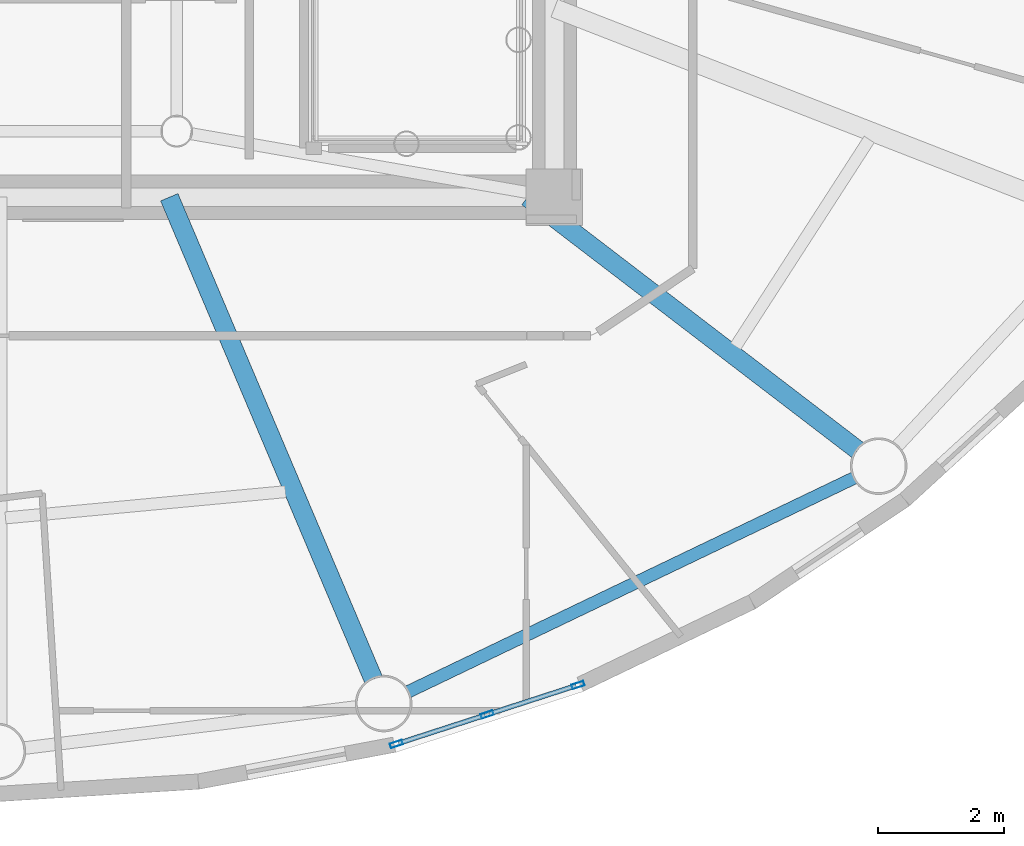
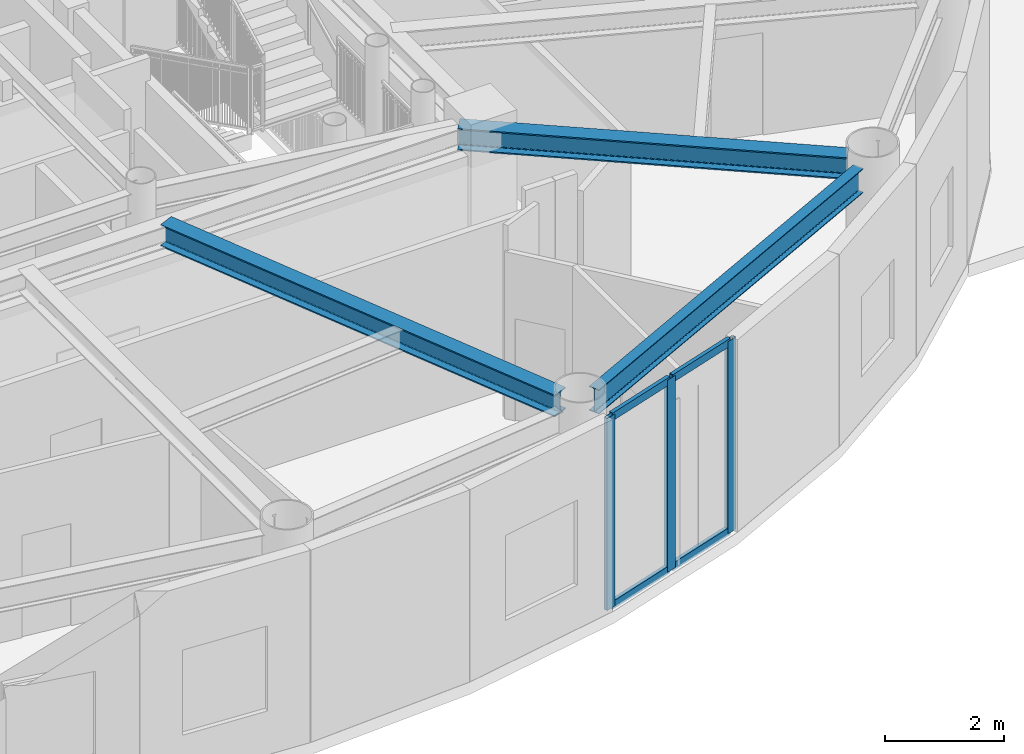
# One storey, part 6 of 24: 7 members, 3 beams, 1 element without a shape of its own.
"""IFC4 building model written with IfcOpenShell, lengths in metres."""

from ifc_helpers import new_model, si_unit, direction, frame, origin, origin_2d, place, context, subcontext, project, spatial, hollow_rectangle, i_section, extrude, source, transform, mapped, material, layer, layer_set, material_profile, profile_set, type_object, element, aggregate, save


model = new_model("IFC4")

# Units and contexts
model_context = context("Model", 3, precision=1e-05, world=origin(), true_north=direction((0.0, 1.0)))
body_context = subcontext(model_context, "Body", "Model", "MODEL_VIEW")
ifc_project = project(units=[si_unit("LENGTHUNIT", "METRE"), si_unit("AREAUNIT", "SQUARE_METRE"), si_unit("VOLUMEUNIT", "CUBIC_METRE"), si_unit("PLANEANGLEUNIT", "RADIAN"), si_unit("MASSUNIT", "GRAM", prefix="KILO")], contexts=[model_context])

# Site, building, storey
site_placement = place(None, origin())
site = spatial("IfcSite", under=ifc_project, at=site_placement, CompositionType="ELEMENT")
building_placement = place(site_placement, origin())
building = spatial("IfcBuilding", under=site, at=building_placement, Name="Linh Dai School and Residence Tower", CompositionType="ELEMENT")
storey_placement = place(building_placement, frame((0.0, 0.0, 355.199951171875)))
storey = spatial("IfcBuildingStorey", under=building, at=storey_placement, Name="L88", CompositionType="ELEMENT", Elevation=355.199951171875)

# Beams
ifc_material_1 = material(Name="Structural Steel S355JR", Category="steel")
ifc_material_profile_1 = material_profile(ifc_material_1, i_section(OverallWidth=0.199951171875, OverallDepth=0.5, WebThickness=0.01025390625, FlangeThickness=0.01611328125, FilletRadius=0.02099609375, at=origin_2d()), Name="IPE 500")
ifc_profile_set_1 = profile_set([ifc_material_profile_1], Name="Structural Steel S355JR")
beam_type_1 = type_object("IfcBeamType", Name="BM-RB50", PredefinedType="BEAM", material=ifc_profile_set_1)
beam_1_placement = place(storey_placement, frame((42.516357421875, 12.687744140625, 3.699951171875), z_axis=(0.901701330417, 0.432359469335, 0.0), x_axis=(-0.432359469335, 0.901701330417, 0.0)))
element("IfcBeam", 1, at=beam_1_placement, inside=storey, type_object=beam_type_1, Name="L88 Perimeter Elliptical Ring Beam 14", PredefinedType="BEAM", context=body_context, shape_type="SweptSolid", body=[
    extrude(i_section(OverallWidth=0.199951171875, OverallDepth=0.5, WebThickness=0.01025390625, FlangeThickness=0.01611328125, FilletRadius=0.02099609375, at=origin_2d()), origin(), (0.0, 0.0, 1.0), 7.88232421875),
])
ifc_material_profile_2 = material_profile(ifc_material_1, i_section(OverallWidth=0.300048828125, OverallDepth=0.449951171875, WebThickness=0.013916015625, FlangeThickness=0.02587890625, FilletRadius=0.027099609375, at=origin_2d()), Name="HEB 450")
ifc_profile_set_2 = profile_set([ifc_material_profile_2], Name="Structural Steel S355JR")
beam_type_2 = type_object("IfcBeamType", Name="BM-RG45", PredefinedType="BEAM", material=ifc_profile_set_2)
beam_2_placement = place(storey_placement, frame((38.731201171875, 20.550048828125, 3.72509765625), z_axis=(0.389954119501, -0.920834287309, 0.0), x_axis=(0.920834287309, 0.389954119501, 0.0)))
element("IfcBeam", 2, at=beam_2_placement, inside=storey, type_object=beam_type_2, Name="L88 Primary Radial Floor Girder 14", PredefinedType="BEAM", context=body_context, shape_type="SweptSolid", body=[
    extrude(i_section(OverallWidth=0.300048828125, OverallDepth=0.449951171875, WebThickness=0.013916015625, FlangeThickness=0.02587890625, FilletRadius=0.027099609375, at=origin_2d()), origin(), (0.0, 0.0, 1.0), 8.3154296875),
])
beam_3_placement = place(storey_placement, frame((44.4228515625, 20.550048828125, 3.72509765625), z_axis=(0.793929753809, -0.608009495006, 0.0), x_axis=(0.608009495006, 0.793929753809, 0.0)))
element("IfcBeam", 3, at=beam_3_placement, inside=storey, type_object=beam_type_2, Name="L88 Primary Radial Floor Girder 15", PredefinedType="BEAM", context=body_context, shape_type="SweptSolid", body=[
    extrude(i_section(OverallWidth=0.300048828125, OverallDepth=0.449951171875, WebThickness=0.013916015625, FlangeThickness=0.02587890625, FilletRadius=0.027099609375, at=origin_2d()), origin(), (0.0, 0.0, 1.0), 6.607666015625),
])

# Curtain wall, members
ifc_material_2 = material(Name="Aluminium Anodised Curtain Wall", Category="aluminium")
ifc_layer = layer(ifc_material_2, 0.199951171875)
ifc_layer_set = layer_set([ifc_layer], Name="Aluminium Anodised Curtain Wall")
curtain_wall_type = type_object("IfcCurtainWallType", Name="CW-SYS-6", PredefinedType="USERDEFINED", material=ifc_layer_set)
curtain_wall_placement = place(storey_placement, origin())
curtain_wall = element("IfcCurtainWall", 4, at=curtain_wall_placement, inside=storey, type_object=curtain_wall_type, Name="L88 CW6 Curtain Wall 33", ObjectType="UNITISED CURTAIN WALL", PredefinedType="USERDEFINED")
ifc_material_3 = material(Name="Aluminium Alloy 6063-T6", Category="aluminium")
ifc_material_profile_3 = material_profile(ifc_material_3, hollow_rectangle(XDim=0.074951171875, YDim=0.159912109375, WallThickness=0.00390625, at=origin_2d()), Name="RHS 160x75x4")
ifc_profile_set_3 = profile_set([ifc_material_profile_3], Name="Aluminium Alloy 6063-T6")
member_type_1 = type_object("IfcMemberType", Name="CW-SYS-6-TRN", PredefinedType="USERDEFINED", material=ifc_profile_set_3)
shared_shape_1 = source(origin(), body_context, "Body", "SweptSolid", [
    extrude(hollow_rectangle(XDim=0.074951171875, YDim=0.159912109375, WallThickness=0.00390625, at=origin_2d()), origin(), (0.0, 0.0, 1.0), 1.441650390625),
])
member_1_placement = place(storey_placement, frame((45.189208984375, 12.787841796875, 0.03759765625), z_axis=(-0.951209386872, -0.308546110536, 0.0), x_axis=(0.308546110536, -0.951209386872, 0.0)))
member_1 = element("IfcMember", 5, at=member_1_placement, type_object=member_type_1, Name="CW6 transom 1.1", ObjectType="TRANSOM", PredefinedType="USERDEFINED", context=body_context, shape_type="MappedRepresentation", body=[
    mapped(shared_shape_1, transform((0.0, 0.0, 0.0), x_axis=(1.0, 0.0, 0.0), y_axis=(0.0, 1.0, 0.0), z_axis=(0.0, 0.0, 1.0), scale=1.0)),
])
member_2_placement = place(storey_placement, frame((45.189208984375, 12.787841796875, 3.91259765625), z_axis=(-0.951209386872, -0.308546110536, 0.0), x_axis=(0.308546110536, -0.951209386872, 0.0)))
member_2 = element("IfcMember", 6, at=member_2_placement, type_object=member_type_1, Name="CW6 transom 1.2", ObjectType="TRANSOM", PredefinedType="USERDEFINED", context=body_context, shape_type="MappedRepresentation", body=[
    mapped(shared_shape_1, transform((0.0, 0.0, 0.0), x_axis=(1.0, 0.0, 0.0), y_axis=(0.0, 1.0, 0.0), z_axis=(0.0, 0.0, 1.0), scale=1.0)),
])
member_3_placement = place(storey_placement, frame((43.74658203125, 12.31982421875, 0.03759765625), z_axis=(-0.951209386872, -0.308546110536, 0.0), x_axis=(0.308546110536, -0.951209386872, 0.0)))
member_3 = element("IfcMember", 7, at=member_3_placement, type_object=member_type_1, Name="CW6 transom 2.1", ObjectType="TRANSOM", PredefinedType="USERDEFINED", context=body_context, shape_type="MappedRepresentation", body=[
    mapped(shared_shape_1, transform((0.0, 0.0, 0.0), x_axis=(1.0, 0.0, 0.0), y_axis=(0.0, 1.0, 0.0), z_axis=(0.0, 0.0, 1.0), scale=1.0)),
])
member_4_placement = place(storey_placement, frame((43.74658203125, 12.31982421875, 3.91259765625), z_axis=(-0.951209386872, -0.308546110536, 0.0), x_axis=(0.308546110536, -0.951209386872, 0.0)))
member_4 = element("IfcMember", 8, at=member_4_placement, type_object=member_type_1, Name="CW6 transom 2.2", ObjectType="TRANSOM", PredefinedType="USERDEFINED", context=body_context, shape_type="MappedRepresentation", body=[
    mapped(shared_shape_1, transform((0.0, 0.0, 0.0), x_axis=(1.0, 0.0, 0.0), y_axis=(0.0, 1.0, 0.0), z_axis=(0.0, 0.0, 1.0), scale=1.0)),
])
ifc_material_profile_4 = material_profile(ifc_material_3, hollow_rectangle(XDim=0.074951171875, YDim=0.199951171875, WallThickness=0.00390625, at=origin_2d()), Name="RHS 200x75x4")
ifc_profile_set_4 = profile_set([ifc_material_profile_4], Name="Aluminium Alloy 6063-T6")
member_type_2 = type_object("IfcMemberType", Name="CW-SYS-6-MUL", PredefinedType="MULLION", material=ifc_profile_set_4)
shared_shape_2 = source(origin(), body_context, "Body", "SweptSolid", [
    extrude(hollow_rectangle(XDim=0.074951171875, YDim=0.199951171875, WallThickness=0.00390625, at=origin_2d()), origin(), (0.0, 0.0, 1.0), 3.949951171875),
])
member_5_placement = place(storey_placement, frame((45.224853515625, 12.79931640625, 0.0), z_axis=(0.0, 0.0, 1.0), x_axis=(0.30856528097, -0.951203168298, 0.0)))
member_5 = element("IfcMember", 9, at=member_5_placement, type_object=member_type_2, Name="CW6 mullion 1", PredefinedType="MULLION", context=body_context, shape_type="MappedRepresentation", body=[
    mapped(shared_shape_2, transform((0.0, 0.0, 0.0), x_axis=(1.0, 0.0, 0.0), y_axis=(0.0, 1.0, 0.0), z_axis=(0.0, 0.0, 1.0), scale=1.0)),
])
member_6_placement = place(storey_placement, frame((43.7822265625, 12.33154296875, 0.0), z_axis=(0.0, 0.0, 1.0), x_axis=(0.30856528097, -0.951203168298, 0.0)))
member_6 = element("IfcMember", 10, at=member_6_placement, type_object=member_type_2, Name="CW6 mullion 2", PredefinedType="MULLION", context=body_context, shape_type="MappedRepresentation", body=[
    mapped(shared_shape_2, transform((0.0, 0.0, 0.0), x_axis=(1.0, 0.0, 0.0), y_axis=(0.0, 1.0, 0.0), z_axis=(0.0, 0.0, 1.0), scale=1.0)),
])
member_7_placement = place(storey_placement, frame((42.339599609375, 11.863525390625, 0.0), z_axis=(0.0, 0.0, 1.0), x_axis=(0.30856528097, -0.951203168298, 0.0)))
member_7 = element("IfcMember", 11, at=member_7_placement, type_object=member_type_2, Name="CW6 mullion 3", PredefinedType="MULLION", context=body_context, shape_type="MappedRepresentation", body=[
    mapped(shared_shape_2, transform((0.0, 0.0, 0.0), x_axis=(1.0, 0.0, 0.0), y_axis=(0.0, 1.0, 0.0), z_axis=(0.0, 0.0, 1.0), scale=1.0)),
])
aggregate(curtain_wall, [member_5, member_6, member_7, member_1, member_2, member_3, member_4])

save(model, "model.ifc")
